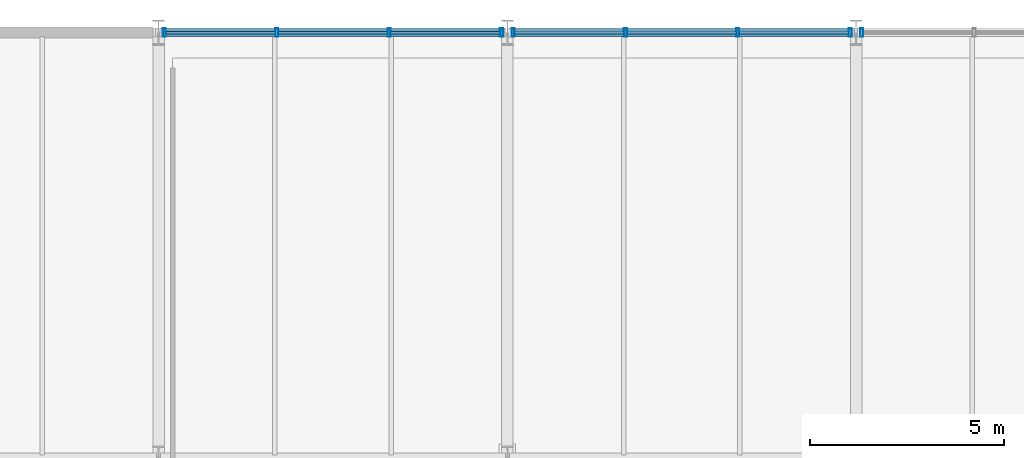
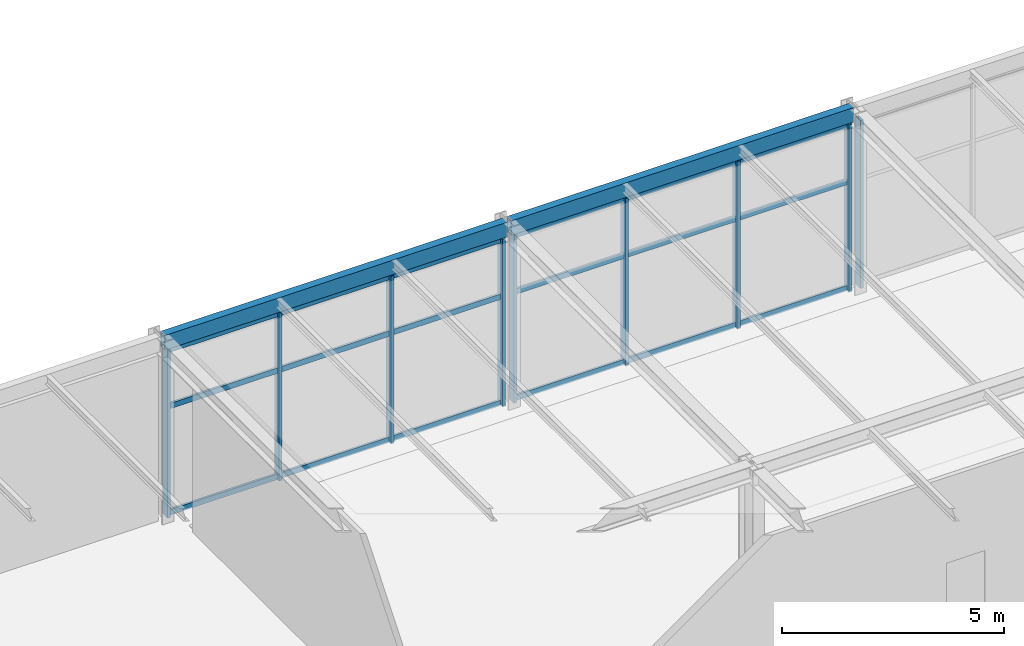
# One storey, part 92 of 195: 27 members, 2 beams, 3 elements without a shape of their own.
"""IFC4 building model written with IfcOpenShell, lengths in metres."""

from ifc_helpers import new_model, si_unit, direction, frame, origin, origin_2d, place, context, subcontext, project, spatial, hollow_rectangle, extrude, material, layer, layer_set, material_profile, profile_set, type_object, element, aggregate, save


model = new_model("IFC4")

# Units and contexts
model_context = context("Model", 3, precision=1e-05, world=origin(), true_north=direction((0.0, 1.0)))
body_context = subcontext(model_context, "Body", "Model", "MODEL_VIEW")
ifc_project = project(units=[si_unit("LENGTHUNIT", "METRE"), si_unit("AREAUNIT", "SQUARE_METRE"), si_unit("VOLUMEUNIT", "CUBIC_METRE"), si_unit("PLANEANGLEUNIT", "RADIAN"), si_unit("MASSUNIT", "GRAM", prefix="KILO")], contexts=[model_context])

# Site, building, storey
site_placement = place(None, origin())
site = spatial("IfcSite", under=ifc_project, at=site_placement, CompositionType="ELEMENT")
building_placement = place(site_placement, origin())
building = spatial("IfcBuilding", under=site, at=building_placement, Name="Marlcrest Central Station", CompositionType="ELEMENT")
storey_placement = place(building_placement, frame((0.0, 0.0, 9.800048828125)))
storey = spatial("IfcBuildingStorey", under=building, at=storey_placement, Name="L02", CompositionType="ELEMENT", Elevation=9.800048828125)

# Curtain wall, members
ifc_material_1 = material(Name="Anodised aluminium and hurricane laminated glass", Category="aluminium")
ifc_layer = layer(ifc_material_1, 0.219970703125, Name="CW-U1")
ifc_layer_set = layer_set([ifc_layer], Name="Anodised aluminium and hurricane laminated glass")
curtain_wall_type = type_object("IfcCurtainWallType", Name="CW-U1", PredefinedType="USERDEFINED", material=ifc_layer_set)
curtain_wall_1_placement = place(storey_placement, origin())
curtain_wall_1 = element("IfcCurtainWall", 1, at=curtain_wall_1_placement, inside=storey, type_object=curtain_wall_type, Name="cw-L02-0163", ObjectType="UNITISED_CURTAIN_WALL", PredefinedType="USERDEFINED")
ifc_material_2 = material(Name="Anodised aluminium 6063-T6", Category="aluminium")
ifc_material_profile_1 = material_profile(ifc_material_2, hollow_rectangle(XDim=0.080078125, YDim=0.219970703125, WallThickness=0.006103515625, at=origin_2d()), Name="AA-RHS 220x80x6")
ifc_profile_set_1 = profile_set([ifc_material_profile_1], Name="Anodised aluminium 6063-T6")
member_type_1 = type_object("IfcMemberType", Name="ML-01", PredefinedType="MULLION", material=ifc_profile_set_1)
member_1_placement = place(storey_placement, frame((54.14990234375, 132.0, -0.030029296875), z_axis=(0.0, 0.0, 1.0), x_axis=(1.0, 0.0, 0.0)))
member_1 = element("IfcMember", 2, at=member_1_placement, type_object=member_type_1, Name="cw-L02-0163-ml-0", PredefinedType="MULLION", context=body_context, shape_type="SweptSolid", body=[
    extrude(hollow_rectangle(XDim=0.080078125, YDim=0.219970703125, WallThickness=0.006103515625, at=origin_2d()), origin(), (0.0, 0.0, 1.0), 4.60986328125),
])
member_2_placement = place(storey_placement, frame((57.050048828125, 132.0, -0.030029296875), z_axis=(0.0, 0.0, 1.0), x_axis=(1.0, 0.0, 0.0)))
member_2 = element("IfcMember", 3, at=member_2_placement, type_object=member_type_1, Name="cw-L02-0163-ml-1", PredefinedType="MULLION", context=body_context, shape_type="SweptSolid", body=[
    extrude(hollow_rectangle(XDim=0.080078125, YDim=0.219970703125, WallThickness=0.006103515625, at=origin_2d()), origin(), (0.0, 0.0, 1.0), 4.60986328125),
])
member_3_placement = place(storey_placement, frame((59.949951171875, 132.0, -0.030029296875), z_axis=(0.0, 0.0, 1.0), x_axis=(1.0, 0.0, 0.0)))
member_3 = element("IfcMember", 4, at=member_3_placement, type_object=member_type_1, Name="cw-L02-0163-ml-2", PredefinedType="MULLION", context=body_context, shape_type="SweptSolid", body=[
    extrude(hollow_rectangle(XDim=0.080078125, YDim=0.219970703125, WallThickness=0.006103515625, at=origin_2d()), origin(), (0.0, 0.0, 1.0), 4.60986328125),
])
member_4_placement = place(storey_placement, frame((62.85009765625, 132.0, -0.030029296875), z_axis=(0.0, 0.0, 1.0), x_axis=(1.0, 0.0, 0.0)))
member_4 = element("IfcMember", 5, at=member_4_placement, type_object=member_type_1, Name="cw-L02-0163-ml-3", PredefinedType="MULLION", context=body_context, shape_type="SweptSolid", body=[
    extrude(hollow_rectangle(XDim=0.080078125, YDim=0.219970703125, WallThickness=0.006103515625, at=origin_2d()), origin(), (0.0, 0.0, 1.0), 4.60986328125),
])

curtain_wall_2_placement = place(storey_placement, origin())
curtain_wall_2 = element("IfcCurtainWall", 6, at=curtain_wall_2_placement, inside=storey, type_object=curtain_wall_type, Name="cw-L02-0164", ObjectType="UNITISED_CURTAIN_WALL", PredefinedType="USERDEFINED")
member_5_placement = place(storey_placement, frame((63.14990234375, 132.0, -0.030029296875), z_axis=(0.0, 0.0, 1.0), x_axis=(1.0, 0.0, 0.0)))
member_5 = element("IfcMember", 7, at=member_5_placement, type_object=member_type_1, Name="cw-L02-0164-ml-0", PredefinedType="MULLION", context=body_context, shape_type="SweptSolid", body=[
    extrude(hollow_rectangle(XDim=0.080078125, YDim=0.219970703125, WallThickness=0.006103515625, at=origin_2d()), origin(), (0.0, 0.0, 1.0), 4.60986328125),
])
member_6_placement = place(storey_placement, frame((66.050048828125, 132.0, -0.030029296875), z_axis=(0.0, 0.0, 1.0), x_axis=(1.0, 0.0, 0.0)))
member_6 = element("IfcMember", 8, at=member_6_placement, type_object=member_type_1, Name="cw-L02-0164-ml-1", PredefinedType="MULLION", context=body_context, shape_type="SweptSolid", body=[
    extrude(hollow_rectangle(XDim=0.080078125, YDim=0.219970703125, WallThickness=0.006103515625, at=origin_2d()), origin(), (0.0, 0.0, 1.0), 4.60986328125),
])
member_7_placement = place(storey_placement, frame((68.949951171875, 132.0, -0.030029296875), z_axis=(0.0, 0.0, 1.0), x_axis=(1.0, 0.0, 0.0)))
member_7 = element("IfcMember", 9, at=member_7_placement, type_object=member_type_1, Name="cw-L02-0164-ml-2", PredefinedType="MULLION", context=body_context, shape_type="SweptSolid", body=[
    extrude(hollow_rectangle(XDim=0.080078125, YDim=0.219970703125, WallThickness=0.006103515625, at=origin_2d()), origin(), (0.0, 0.0, 1.0), 4.60986328125),
])
member_8_placement = place(storey_placement, frame((71.85009765625, 132.0, -0.030029296875), z_axis=(0.0, 0.0, 1.0), x_axis=(1.0, 0.0, 0.0)))
member_8 = element("IfcMember", 10, at=member_8_placement, type_object=member_type_1, Name="cw-L02-0164-ml-3", PredefinedType="MULLION", context=body_context, shape_type="SweptSolid", body=[
    extrude(hollow_rectangle(XDim=0.080078125, YDim=0.219970703125, WallThickness=0.006103515625, at=origin_2d()), origin(), (0.0, 0.0, 1.0), 4.60986328125),
])

# Curtain wall, member
curtain_wall_3_placement = place(storey_placement, origin())
curtain_wall_3 = element("IfcCurtainWall", 11, at=curtain_wall_3_placement, inside=storey, type_object=curtain_wall_type, Name="cw-L02-0166", ObjectType="UNITISED_CURTAIN_WALL", PredefinedType="USERDEFINED")
member_9_placement = place(storey_placement, frame((72.14990234375, 132.0, -0.030029296875), z_axis=(0.0, 0.0, 1.0), x_axis=(1.0, 0.0, 0.0)))
member_9 = element("IfcMember", 12, at=member_9_placement, type_object=member_type_1, Name="cw-L02-0166-ml-0", PredefinedType="MULLION", context=body_context, shape_type="SweptSolid", body=[
    extrude(hollow_rectangle(XDim=0.080078125, YDim=0.219970703125, WallThickness=0.006103515625, at=origin_2d()), origin(), (0.0, 0.0, 1.0), 4.60986328125),
])
aggregate(curtain_wall_3, [member_9])

# Beams
ifc_material_3 = material(Name="Steel S355", Category="steel")
ifc_material_profile_2 = material_profile(ifc_material_3, hollow_rectangle(XDim=0.199951171875, YDim=0.39990234375, WallThickness=0.01611328125, at=origin_2d()), Name="RHS 400x200x16")
ifc_profile_set_2 = profile_set([ifc_material_profile_2], Name="Steel S355")
beam_type = type_object("IfcBeamType", Name="SP-01", PredefinedType="SPANDREL", material=ifc_profile_set_2)
for number, where, z_axis, x_axis, name in (
    (13, (54.050048828125, 132.0, 4.800048828125), (1.0, 0.0, 0.0), (0.0, 1.0, 0.0), "bm-SP-01-L02-00381"),
    (14, (63.050048828125, 132.0, 4.800048828125), (1.0, 0.0, 0.0), (0.0, 1.0, 0.0), "bm-SP-01-L02-00382"),
):
    element("IfcBeam", number, at=place(storey_placement, frame(where, z_axis=z_axis, x_axis=x_axis)), inside=storey, type_object=beam_type, Name=name, PredefinedType="SPANDREL", context=body_context, shape_type="SweptSolid", body=[
        extrude(hollow_rectangle(XDim=0.199951171875, YDim=0.39990234375, WallThickness=0.01611328125, at=origin_2d()), origin(), (0.0, 0.0, 1.0), 8.89990234375),
    ])

# Member
ifc_material_profile_3 = material_profile(ifc_material_2, hollow_rectangle(XDim=0.06005859375, YDim=0.14990234375, WallThickness=0.00390625, at=origin_2d()), Name="AA-RHS 150x60x4")
ifc_profile_set_3 = profile_set([ifc_material_profile_3], Name="Anodised aluminium 6063-T6")
member_type_2 = type_object("IfcMemberType", Name="TR-01", PredefinedType="USERDEFINED", material=ifc_profile_set_3)
member_10_placement = place(storey_placement, frame((54.18798828125, 132.0, 0.0400390625), z_axis=(1.0, 0.0, 0.0), x_axis=(0.0, 1.0, 0.0)))
member_10 = element("IfcMember", 15, at=member_10_placement, type_object=member_type_2, Name="cw-L02-0163-tr-0-sill", ObjectType="TRANSOM", PredefinedType="USERDEFINED", context=body_context, shape_type="SweptSolid", body=[
    extrude(hollow_rectangle(XDim=0.06005859375, YDim=0.14990234375, WallThickness=0.00390625, at=origin_2d()), origin(), (0.0, 0.0, 1.0), 2.823974609375),
])

member_11_placement = place(storey_placement, frame((54.18798828125, 132.0, 2.9580078125), z_axis=(1.0, 0.0, 0.0), x_axis=(0.0, 1.0, 0.0)))
member_11 = element("IfcMember", 16, at=member_11_placement, type_object=member_type_2, Name="cw-L02-0163-tr-0-mid", ObjectType="TRANSOM", PredefinedType="USERDEFINED", context=body_context, shape_type="SweptSolid", body=[
    extrude(hollow_rectangle(XDim=0.06005859375, YDim=0.14990234375, WallThickness=0.00390625, at=origin_2d()), origin(), (0.0, 0.0, 1.0), 2.823974609375),
])

member_12_placement = place(storey_placement, frame((54.18798828125, 132.0, 4.510009765625), z_axis=(1.0, 0.0, 0.0), x_axis=(0.0, 1.0, 0.0)))
member_12 = element("IfcMember", 17, at=member_12_placement, type_object=member_type_2, Name="cw-L02-0163-tr-0-head", ObjectType="TRANSOM", PredefinedType="USERDEFINED", context=body_context, shape_type="SweptSolid", body=[
    extrude(hollow_rectangle(XDim=0.06005859375, YDim=0.14990234375, WallThickness=0.00390625, at=origin_2d()), origin(), (0.0, 0.0, 1.0), 2.823974609375),
])

member_13_placement = place(storey_placement, frame((57.087890625, 132.0, 0.0400390625), z_axis=(1.0, 0.0, 0.0), x_axis=(0.0, 1.0, 0.0)))
member_13 = element("IfcMember", 18, at=member_13_placement, type_object=member_type_2, Name="cw-L02-0163-tr-1-sill", ObjectType="TRANSOM", PredefinedType="USERDEFINED", context=body_context, shape_type="SweptSolid", body=[
    extrude(hollow_rectangle(XDim=0.06005859375, YDim=0.14990234375, WallThickness=0.00390625, at=origin_2d()), origin(), (0.0, 0.0, 1.0), 2.82421875),
])

member_14_placement = place(storey_placement, frame((57.087890625, 132.0, 2.9580078125), z_axis=(1.0, 0.0, 0.0), x_axis=(0.0, 1.0, 0.0)))
member_14 = element("IfcMember", 19, at=member_14_placement, type_object=member_type_2, Name="cw-L02-0163-tr-1-mid", ObjectType="TRANSOM", PredefinedType="USERDEFINED", context=body_context, shape_type="SweptSolid", body=[
    extrude(hollow_rectangle(XDim=0.06005859375, YDim=0.14990234375, WallThickness=0.00390625, at=origin_2d()), origin(), (0.0, 0.0, 1.0), 2.82421875),
])

member_15_placement = place(storey_placement, frame((57.087890625, 132.0, 4.510009765625), z_axis=(1.0, 0.0, 0.0), x_axis=(0.0, 1.0, 0.0)))
member_15 = element("IfcMember", 20, at=member_15_placement, type_object=member_type_2, Name="cw-L02-0163-tr-1-head", ObjectType="TRANSOM", PredefinedType="USERDEFINED", context=body_context, shape_type="SweptSolid", body=[
    extrude(hollow_rectangle(XDim=0.06005859375, YDim=0.14990234375, WallThickness=0.00390625, at=origin_2d()), origin(), (0.0, 0.0, 1.0), 2.82421875),
])

member_16_placement = place(storey_placement, frame((59.988037109375, 132.0, 0.0400390625), z_axis=(1.0, 0.0, 0.0), x_axis=(0.0, 1.0, 0.0)))
member_16 = element("IfcMember", 21, at=member_16_placement, type_object=member_type_2, Name="cw-L02-0163-tr-2-sill", ObjectType="TRANSOM", PredefinedType="USERDEFINED", context=body_context, shape_type="SweptSolid", body=[
    extrude(hollow_rectangle(XDim=0.06005859375, YDim=0.14990234375, WallThickness=0.00390625, at=origin_2d()), origin(), (0.0, 0.0, 1.0), 2.823974609375),
])

member_17_placement = place(storey_placement, frame((59.988037109375, 132.0, 2.9580078125), z_axis=(1.0, 0.0, 0.0), x_axis=(0.0, 1.0, 0.0)))
member_17 = element("IfcMember", 22, at=member_17_placement, type_object=member_type_2, Name="cw-L02-0163-tr-2-mid", ObjectType="TRANSOM", PredefinedType="USERDEFINED", context=body_context, shape_type="SweptSolid", body=[
    extrude(hollow_rectangle(XDim=0.06005859375, YDim=0.14990234375, WallThickness=0.00390625, at=origin_2d()), origin(), (0.0, 0.0, 1.0), 2.823974609375),
])

member_18_placement = place(storey_placement, frame((59.988037109375, 132.0, 4.510009765625), z_axis=(1.0, 0.0, 0.0), x_axis=(0.0, 1.0, 0.0)))
member_18 = element("IfcMember", 23, at=member_18_placement, type_object=member_type_2, Name="cw-L02-0163-tr-2-head", ObjectType="TRANSOM", PredefinedType="USERDEFINED", context=body_context, shape_type="SweptSolid", body=[
    extrude(hollow_rectangle(XDim=0.06005859375, YDim=0.14990234375, WallThickness=0.00390625, at=origin_2d()), origin(), (0.0, 0.0, 1.0), 2.823974609375),
])

aggregate(curtain_wall_1, [member_1, member_2, member_3, member_4, member_10, member_11, member_12, member_13, member_14, member_15, member_16, member_17, member_18])

member_19_placement = place(storey_placement, frame((63.18798828125, 132.0, 0.0400390625), z_axis=(1.0, 0.0, 0.0), x_axis=(0.0, 1.0, 0.0)))
member_19 = element("IfcMember", 24, at=member_19_placement, type_object=member_type_2, Name="cw-L02-0164-tr-0-sill", ObjectType="TRANSOM", PredefinedType="USERDEFINED", context=body_context, shape_type="SweptSolid", body=[
    extrude(hollow_rectangle(XDim=0.06005859375, YDim=0.14990234375, WallThickness=0.00390625, at=origin_2d()), origin(), (0.0, 0.0, 1.0), 2.823974609375),
])

member_20_placement = place(storey_placement, frame((63.18798828125, 132.0, 2.9580078125), z_axis=(1.0, 0.0, 0.0), x_axis=(0.0, 1.0, 0.0)))
member_20 = element("IfcMember", 25, at=member_20_placement, type_object=member_type_2, Name="cw-L02-0164-tr-0-mid", ObjectType="TRANSOM", PredefinedType="USERDEFINED", context=body_context, shape_type="SweptSolid", body=[
    extrude(hollow_rectangle(XDim=0.06005859375, YDim=0.14990234375, WallThickness=0.00390625, at=origin_2d()), origin(), (0.0, 0.0, 1.0), 2.823974609375),
])

member_21_placement = place(storey_placement, frame((63.18798828125, 132.0, 4.510009765625), z_axis=(1.0, 0.0, 0.0), x_axis=(0.0, 1.0, 0.0)))
member_21 = element("IfcMember", 26, at=member_21_placement, type_object=member_type_2, Name="cw-L02-0164-tr-0-head", ObjectType="TRANSOM", PredefinedType="USERDEFINED", context=body_context, shape_type="SweptSolid", body=[
    extrude(hollow_rectangle(XDim=0.06005859375, YDim=0.14990234375, WallThickness=0.00390625, at=origin_2d()), origin(), (0.0, 0.0, 1.0), 2.823974609375),
])

member_22_placement = place(storey_placement, frame((66.087890625, 132.0, 0.0400390625), z_axis=(1.0, 0.0, 0.0), x_axis=(0.0, 1.0, 0.0)))
member_22 = element("IfcMember", 27, at=member_22_placement, type_object=member_type_2, Name="cw-L02-0164-tr-1-sill", ObjectType="TRANSOM", PredefinedType="USERDEFINED", context=body_context, shape_type="SweptSolid", body=[
    extrude(hollow_rectangle(XDim=0.06005859375, YDim=0.14990234375, WallThickness=0.00390625, at=origin_2d()), origin(), (0.0, 0.0, 1.0), 2.82421875),
])

member_23_placement = place(storey_placement, frame((66.087890625, 132.0, 2.9580078125), z_axis=(1.0, 0.0, 0.0), x_axis=(0.0, 1.0, 0.0)))
member_23 = element("IfcMember", 28, at=member_23_placement, type_object=member_type_2, Name="cw-L02-0164-tr-1-mid", ObjectType="TRANSOM", PredefinedType="USERDEFINED", context=body_context, shape_type="SweptSolid", body=[
    extrude(hollow_rectangle(XDim=0.06005859375, YDim=0.14990234375, WallThickness=0.00390625, at=origin_2d()), origin(), (0.0, 0.0, 1.0), 2.82421875),
])

member_24_placement = place(storey_placement, frame((66.087890625, 132.0, 4.510009765625), z_axis=(1.0, 0.0, 0.0), x_axis=(0.0, 1.0, 0.0)))
member_24 = element("IfcMember", 29, at=member_24_placement, type_object=member_type_2, Name="cw-L02-0164-tr-1-head", ObjectType="TRANSOM", PredefinedType="USERDEFINED", context=body_context, shape_type="SweptSolid", body=[
    extrude(hollow_rectangle(XDim=0.06005859375, YDim=0.14990234375, WallThickness=0.00390625, at=origin_2d()), origin(), (0.0, 0.0, 1.0), 2.82421875),
])

member_25_placement = place(storey_placement, frame((68.988037109375, 132.0, 0.0400390625), z_axis=(1.0, 0.0, 0.0), x_axis=(0.0, 1.0, 0.0)))
member_25 = element("IfcMember", 30, at=member_25_placement, type_object=member_type_2, Name="cw-L02-0164-tr-2-sill", ObjectType="TRANSOM", PredefinedType="USERDEFINED", context=body_context, shape_type="SweptSolid", body=[
    extrude(hollow_rectangle(XDim=0.06005859375, YDim=0.14990234375, WallThickness=0.00390625, at=origin_2d()), origin(), (0.0, 0.0, 1.0), 2.823974609375),
])

member_26_placement = place(storey_placement, frame((68.988037109375, 132.0, 2.9580078125), z_axis=(1.0, 0.0, 0.0), x_axis=(0.0, 1.0, 0.0)))
member_26 = element("IfcMember", 31, at=member_26_placement, type_object=member_type_2, Name="cw-L02-0164-tr-2-mid", ObjectType="TRANSOM", PredefinedType="USERDEFINED", context=body_context, shape_type="SweptSolid", body=[
    extrude(hollow_rectangle(XDim=0.06005859375, YDim=0.14990234375, WallThickness=0.00390625, at=origin_2d()), origin(), (0.0, 0.0, 1.0), 2.823974609375),
])

member_27_placement = place(storey_placement, frame((68.988037109375, 132.0, 4.510009765625), z_axis=(1.0, 0.0, 0.0), x_axis=(0.0, 1.0, 0.0)))
member_27 = element("IfcMember", 32, at=member_27_placement, type_object=member_type_2, Name="cw-L02-0164-tr-2-head", ObjectType="TRANSOM", PredefinedType="USERDEFINED", context=body_context, shape_type="SweptSolid", body=[
    extrude(hollow_rectangle(XDim=0.06005859375, YDim=0.14990234375, WallThickness=0.00390625, at=origin_2d()), origin(), (0.0, 0.0, 1.0), 2.823974609375),
])

aggregate(curtain_wall_2, [member_5, member_6, member_7, member_8, member_19, member_20, member_21, member_22, member_23, member_24, member_25, member_26, member_27])

save(model, "model.ifc")
